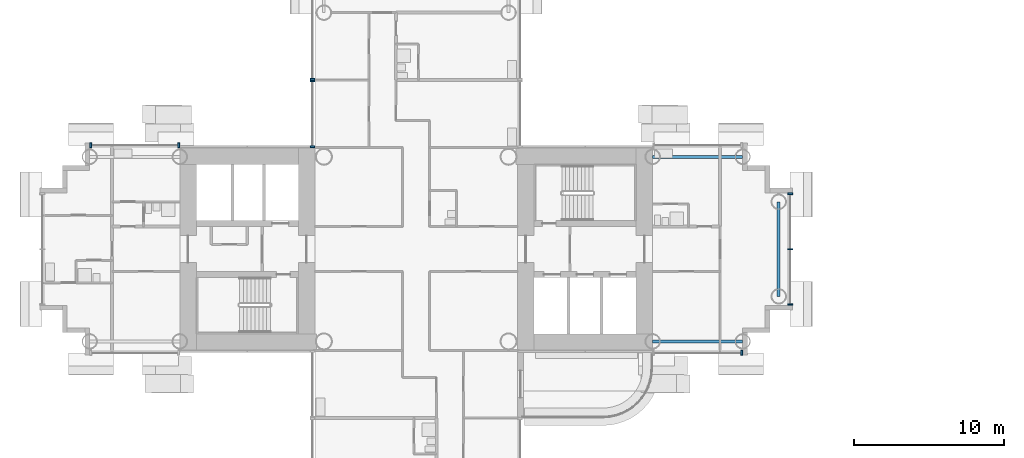
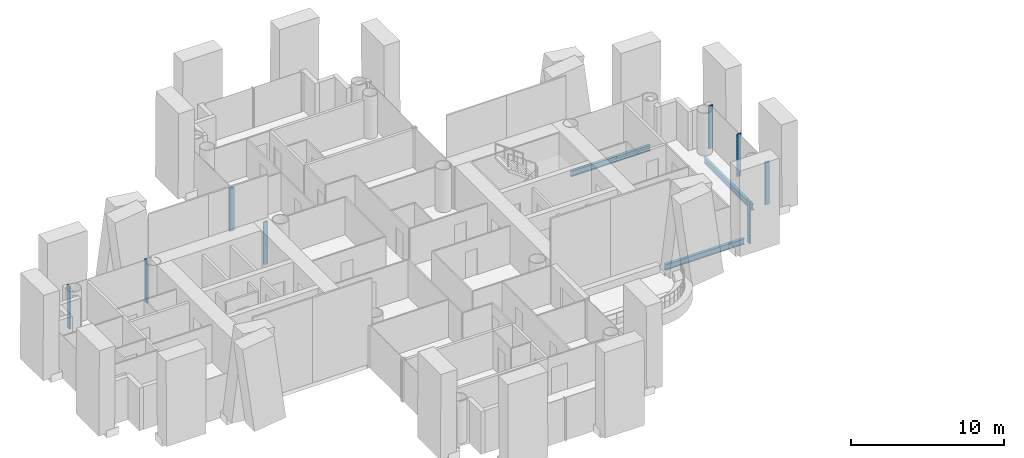
# One storey, part 4 of 23: 9 members, 3 beams, 5 elements without a shape of their own.
"""IFC4 building model written with IfcOpenShell, lengths in metres."""

from ifc_helpers import new_model, si_unit, direction, frame, origin, origin_2d, place, context, subcontext, project, spatial, rectangle, i_section, extrude, material, layer, layer_set, material_profile, profile_set, type_object, element, aggregate, save


model = new_model("IFC4")

# Units and contexts
model_context = context("Model", 3, precision=1e-05, world=origin(), true_north=direction((0.0, 1.0)))
body_context = subcontext(model_context, "Body", "Model", "MODEL_VIEW")
ifc_project = project(units=[si_unit("LENGTHUNIT", "METRE"), si_unit("AREAUNIT", "SQUARE_METRE"), si_unit("VOLUMEUNIT", "CUBIC_METRE"), si_unit("PLANEANGLEUNIT", "RADIAN"), si_unit("MASSUNIT", "GRAM", prefix="KILO")], contexts=[model_context])

# Site, building, storey
site_placement = place(None, origin())
site = spatial("IfcSite", under=ifc_project, at=site_placement, CompositionType="ELEMENT")
building_placement = place(site_placement, origin())
building = spatial("IfcBuilding", under=site, at=building_placement, Name="Ipe Terrace Towers", CompositionType="ELEMENT")
storey_placement = place(building_placement, frame((0.0, 0.0, 44.89990234375)))
storey = spatial("IfcBuildingStorey", under=building, at=storey_placement, Name="L11", CompositionType="ELEMENT", Elevation=44.89990234375)

# Beams
ifc_material_1 = material(Name="Steel S355", Category="steel")
ifc_material_profile_1 = material_profile(ifc_material_1, i_section(OverallWidth=0.199951171875, OverallDepth=0.449951171875, WebThickness=0.009033203125, FlangeThickness=0.013916015625, at=origin_2d()), Name="H-450x200x9x14")
ifc_profile_set_1 = profile_set([ifc_material_profile_1], Name="Steel S355")
beam_type = type_object("IfcBeamType", Name="H08 EDGE BEAM H-450x200x9x14", PredefinedType="BEAM", material=ifc_profile_set_1)
for number, where, z_axis, x_axis, name in (
    (1, (-20.25, -6.14990234375, -0.625), (1.0, 0.0, 0.0), (0.0, 1.0, 0.0), "Edge beam T1-EB-A01-A03"),
    (2, (-20.25, 6.14990234375, -0.625), (1.0, 0.0, 0.0), (0.0, 1.0, 0.0), "Edge beam T1-EB-A02-A04"),
):
    element("IfcBeam", number, at=place(storey_placement, frame(where, z_axis=z_axis, x_axis=x_axis)), inside=storey, type_object=beam_type, Name=name, PredefinedType="BEAM", context=body_context, shape_type="SweptSolid", body=[
        extrude(i_section(OverallWidth=0.199951171875, OverallDepth=0.449951171875, WebThickness=0.009033203125, FlangeThickness=0.013916015625, at=origin_2d()), origin(), (0.0, 0.0, 1.0), 6.0),
    ])
beam_placement = place(storey_placement, frame((-11.85009765625, -3.14990234375, -0.625), z_axis=(0.0, 1.0, 0.0), x_axis=(-1.0, 0.0, 0.0)))
element("IfcBeam", 3, at=beam_placement, inside=storey, type_object=beam_type, Name="Edge beam T1-EB-A05-A06", PredefinedType="BEAM", context=body_context, shape_type="SweptSolid", body=[
    extrude(i_section(OverallWidth=0.199951171875, OverallDepth=0.449951171875, WebThickness=0.009033203125, FlangeThickness=0.013916015625, at=origin_2d()), origin(), (0.0, 0.0, 1.0), 6.2998046875),
])

# Curtain wall, member
ifc_material_2 = material(Name="Aluminium alloy 6063-T6", Category="aluminium")
ifc_layer = layer(ifc_material_2, 0.320068359375)
ifc_layer_set = layer_set([ifc_layer], Name="TOWER UNITISED CURTAIN WALL")
curtain_wall_type = type_object("IfcCurtainWallType", Name="TOWER UNITISED CURTAIN WALL", PredefinedType="NOTDEFINED", material=ifc_layer_set)
curtain_wall_1_placement = place(storey_placement, origin())
curtain_wall_1 = element("IfcCurtainWall", 4, at=curtain_wall_1_placement, inside=storey, type_object=curtain_wall_type, Name="T1-CW-L11-20b curtain wall", PredefinedType="NOTDEFINED")
ifc_material_3 = material(Name="Aluminium alloy 6063-T6", Category="aluminium")
ifc_material_profile_2 = material_profile(ifc_material_3, rectangle(XDim=0.320068359375, YDim=0.1201171875, at=origin_2d()), Name="TOWER UNITISED CORNER MULLION 320 x 120")
ifc_profile_set_2 = profile_set([ifc_material_profile_2], Name="Aluminium alloy 6063-T6")
member_type_1 = type_object("IfcMemberType", Name="TOWER UNITISED CORNER MULLION 320 x 120", PredefinedType="MULLION", material=ifc_profile_set_2)
member_1_placement = place(storey_placement, frame((-14.31005859375, -6.909912109375, -0.2998046875), z_axis=(0.0, 0.0, 1.0), x_axis=(0.0, -1.0, 0.0)))
member_1 = element("IfcMember", 5, at=member_1_placement, type_object=member_type_1, Name="T1-CW-L11-20b mullion 2", PredefinedType="MULLION", context=body_context, shape_type="SweptSolid", body=[
    extrude(rectangle(XDim=0.320068359375, YDim=0.1201171875, at=origin_2d()), origin(), (0.0, 0.0, 1.0), 3.39990234375),
])
aggregate(curtain_wall_1, [member_1])

# Curtain wall, members
curtain_wall_2_placement = place(storey_placement, origin())
curtain_wall_2 = element("IfcCurtainWall", 6, at=curtain_wall_2_placement, inside=storey, type_object=curtain_wall_type, Name="T1-CW-L11-25a curtain wall", PredefinedType="NOTDEFINED")
member_2_placement = place(storey_placement, frame((-11.090087890625, -3.68994140625, -0.2998046875), z_axis=(0.0, 0.0, 1.0), x_axis=(1.0, 0.0, 0.0)))
member_2 = element("IfcMember", 7, at=member_2_placement, type_object=member_type_1, Name="T1-CW-L11-25a mullion 1", PredefinedType="MULLION", context=body_context, shape_type="SweptSolid", body=[
    extrude(rectangle(XDim=0.320068359375, YDim=0.1201171875, at=origin_2d()), origin(), (0.0, 0.0, 1.0), 3.39990234375),
])
member_3_placement = place(storey_placement, frame((-11.090087890625, 3.68994140625, -0.2998046875), z_axis=(0.0, 0.0, 1.0), x_axis=(1.0, 0.0, 0.0)))
member_3 = element("IfcMember", 8, at=member_3_placement, type_object=member_type_1, Name="T1-CW-L11-25a mullion 3", PredefinedType="MULLION", context=body_context, shape_type="SweptSolid", body=[
    extrude(rectangle(XDim=0.320068359375, YDim=0.1201171875, at=origin_2d()), origin(), (0.0, 0.0, 1.0), 3.39990234375),
])

# Curtain wall, member
curtain_wall_3_placement = place(storey_placement, origin())
curtain_wall_3 = element("IfcCurtainWall", 9, at=curtain_wall_3_placement, inside=storey, type_object=curtain_wall_type, Name="T1-CW-L11-43a curtain wall", PredefinedType="NOTDEFINED")
member_4_placement = place(storey_placement, frame((-42.909912109375, 11.31005859375, -0.2998046875), z_axis=(0.0, 0.0, 1.0), x_axis=(-1.0, 0.0, 0.0)))
member_4 = element("IfcMember", 10, at=member_4_placement, type_object=member_type_1, Name="T1-CW-L11-43a mullion 2", PredefinedType="MULLION", context=body_context, shape_type="SweptSolid", body=[
    extrude(rectangle(XDim=0.320068359375, YDim=0.1201171875, at=origin_2d()), origin(), (0.0, 0.0, 1.0), 3.39990234375),
])
aggregate(curtain_wall_3, [member_4])

# Curtain wall, members
curtain_wall_4_placement = place(storey_placement, origin())
curtain_wall_4 = element("IfcCurtainWall", 11, at=curtain_wall_4_placement, inside=storey, type_object=curtain_wall_type, Name="T1-CW-L11-44a curtain wall", PredefinedType="NOTDEFINED")
member_5_placement = place(storey_placement, frame((-42.909912109375, 11.18994140625, -0.2998046875), z_axis=(0.0, 0.0, 1.0), x_axis=(-1.0, 0.0, 0.0)))
member_5 = element("IfcMember", 12, at=member_5_placement, type_object=member_type_1, Name="T1-CW-L11-44a mullion 1", PredefinedType="MULLION", context=body_context, shape_type="SweptSolid", body=[
    extrude(rectangle(XDim=0.320068359375, YDim=0.1201171875, at=origin_2d()), origin(), (0.0, 0.0, 1.0), 3.39990234375),
])
member_6_placement = place(storey_placement, frame((-42.909912109375, 6.81005859375, -0.2998046875), z_axis=(0.0, 0.0, 1.0), x_axis=(-1.0, 0.0, 0.0)))
member_6 = element("IfcMember", 13, at=member_6_placement, type_object=member_type_1, Name="T1-CW-L11-44a mullion 2", PredefinedType="MULLION", context=body_context, shape_type="SweptSolid", body=[
    extrude(rectangle(XDim=0.320068359375, YDim=0.1201171875, at=origin_2d()), origin(), (0.0, 0.0, 1.0), 3.39990234375),
])
aggregate(curtain_wall_4, [member_5, member_6])

curtain_wall_5_placement = place(storey_placement, origin())
curtain_wall_5 = element("IfcCurtainWall", 14, at=curtain_wall_5_placement, inside=storey, type_object=curtain_wall_type, Name="T1-CW-L11-46b curtain wall", PredefinedType="NOTDEFINED")
member_7_placement = place(storey_placement, frame((-51.81103515625, 6.909912109375, -0.2998046875), z_axis=(0.0, 0.0, 1.0), x_axis=(0.0, 1.0, 0.0)))
member_7 = element("IfcMember", 15, at=member_7_placement, type_object=member_type_1, Name="T1-CW-L11-46b mullion 1", PredefinedType="MULLION", context=body_context, shape_type="SweptSolid", body=[
    extrude(rectangle(XDim=0.320068359375, YDim=0.1201171875, at=origin_2d()), origin(), (0.0, 0.0, 1.0), 3.39990234375),
])
member_8_placement = place(storey_placement, frame((-57.68994140625, 6.909912109375, -0.2998046875), z_axis=(0.0, 0.0, 1.0), x_axis=(0.0, 1.0, 0.0)))
member_8 = element("IfcMember", 16, at=member_8_placement, type_object=member_type_1, Name="T1-CW-L11-46b mullion 2", PredefinedType="MULLION", context=body_context, shape_type="SweptSolid", body=[
    extrude(rectangle(XDim=0.320068359375, YDim=0.1201171875, at=origin_2d()), origin(), (0.0, 0.0, 1.0), 3.39990234375),
])
aggregate(curtain_wall_5, [member_7, member_8])

# Member
ifc_material_4 = material(Name="Aluminium alloy 6063-T6", Category="aluminium")
ifc_material_profile_3 = material_profile(ifc_material_4, rectangle(XDim=0.320068359375, YDim=0.06494140625, at=origin_2d()), Name="TOWER UNITISED MULLION 320 x 65")
ifc_profile_set_3 = profile_set([ifc_material_profile_3], Name="Aluminium alloy 6063-T6")
member_type_2 = type_object("IfcMemberType", Name="TOWER UNITISED MULLION 320 x 65", PredefinedType="MULLION", material=ifc_profile_set_3)
member_9_placement = place(storey_placement, frame((-11.090087890625, 0.0, -0.2998046875), z_axis=(0.0, 0.0, 1.0), x_axis=(1.0, 0.0, 0.0)))
member_9 = element("IfcMember", 17, at=member_9_placement, type_object=member_type_2, Name="T1-CW-L11-25a mullion 2", PredefinedType="MULLION", context=body_context, shape_type="SweptSolid", body=[
    extrude(rectangle(XDim=0.320068359375, YDim=0.06494140625, at=origin_2d()), origin(), (0.0, 0.0, 1.0), 3.39990234375),
])

aggregate(curtain_wall_2, [member_2, member_9, member_3])

save(model, "model.ifc")
